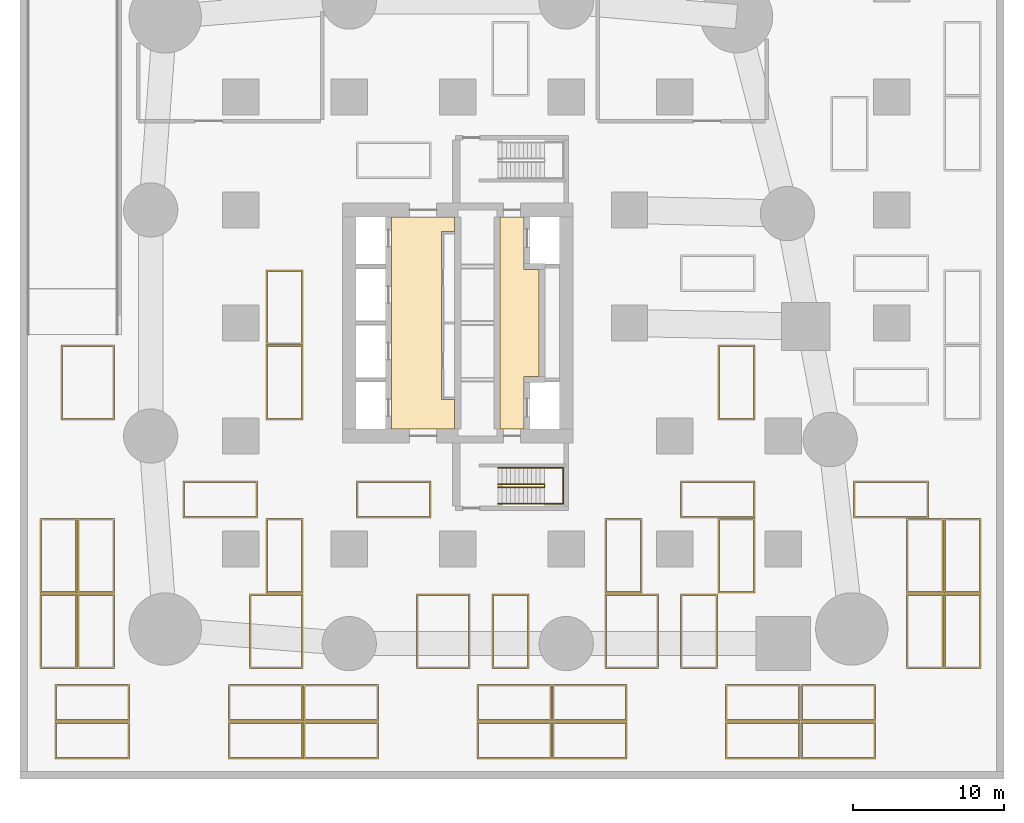
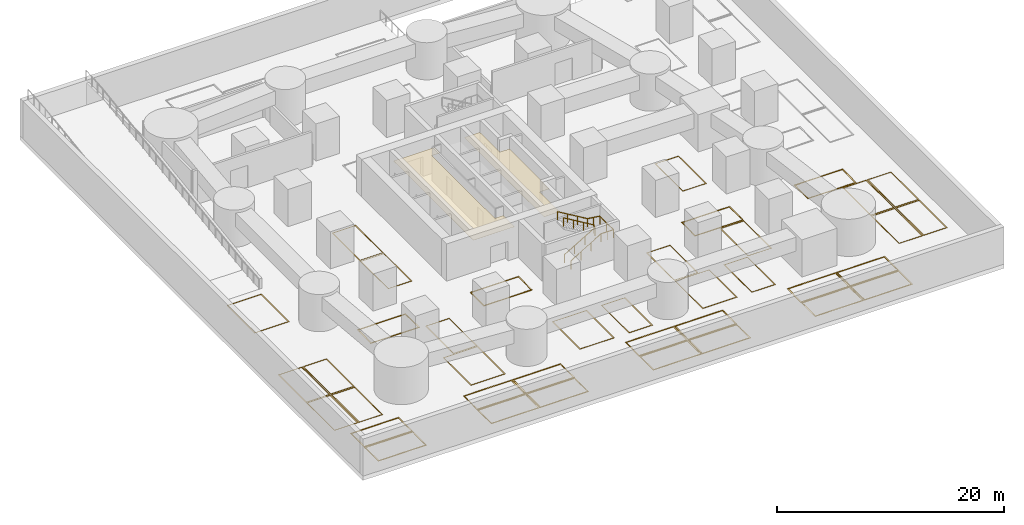
# One storey, part 7 of 8: 40 coverings, 2 railings.
"""IFC4 building model written with IfcOpenShell, lengths in metres."""

from ifc_helpers import new_model, si_unit, direction, frame, origin, origin_2d, place, context, subcontext, project, spatial, polyline, circle, outline, extrude, material, layer, layer_set, type_object, element, save


model = new_model("IFC4")

# Units and contexts
model_context = context("Model", 3, precision=1e-05, world=origin(), true_north=direction((0.0, 1.0)))
body_context = subcontext(model_context, "Body", "Model", "MODEL_VIEW")
ifc_project = project(units=[si_unit("LENGTHUNIT", "METRE"), si_unit("AREAUNIT", "SQUARE_METRE"), si_unit("VOLUMEUNIT", "CUBIC_METRE"), si_unit("PLANEANGLEUNIT", "RADIAN"), si_unit("MASSUNIT", "GRAM", prefix="KILO")], contexts=[model_context])

# Site, building, storey
site_placement = place(None, origin())
site = spatial("IfcSite", under=ifc_project, at=site_placement, CompositionType="ELEMENT")
building_placement = place(site_placement, origin())
building = spatial("IfcBuilding", under=site, at=building_placement, Name="Sheger Commons Tower", CompositionType="ELEMENT")
storey_placement = place(building_placement, frame((0.0, 0.0, -4.0)))
storey = spatial("IfcBuildingStorey", under=building, at=storey_placement, Name="B1", CompositionType="ELEMENT", Elevation=-4.0)

# Coverings
ifc_material_1 = material(Name="Thermoplastic road marking, blue")
ifc_layer_1 = layer(ifc_material_1, 0.0048828125)
ifc_layer_set_1 = layer_set([ifc_layer_1], Name="ACCESSIBLE PARKING BAY MARKING")
covering_type_1 = type_object("IfcCoveringType", Name="ACCESSIBLE PARKING BAY MARKING", PredefinedType="FLOORING", material=ifc_layer_set_1)
covering_1_placement = place(storey_placement, origin())
element("IfcCovering", 1, at=covering_1_placement, inside=storey, type_object=covering_type_1, Name="Accessible parking bay B1-A01 marking", PredefinedType="FLOORING", context=body_context, shape_type="SweptSolid", body=[
    extrude(outline(polyline([(7.77490234375, -0.425048828125), (11.324951171875, -0.425048828125), (11.324951171875, 4.52490234375), (7.77490234375, 4.52490234375), (7.77490234375, -0.425048828125)]), holes=[polyline([(11.22509765625, 4.425048828125), (11.22509765625, -0.324951171875), (7.875, -0.324951171875), (7.875, 4.425048828125), (11.22509765625, 4.425048828125)])]), origin(), (0.0, 0.0, 1.0), 0.0048828125),
])
covering_2_placement = place(storey_placement, origin())
element("IfcCovering", 2, at=covering_2_placement, inside=storey, type_object=covering_type_1, Name="Accessible parking bay B1-A02 marking", PredefinedType="FLOORING", context=body_context, shape_type="SweptSolid", body=[
    extrude(outline(polyline([(18.875, -0.425048828125), (22.425048828125, -0.425048828125), (22.425048828125, 4.52490234375), (18.875, 4.52490234375), (18.875, -0.425048828125)]), holes=[polyline([(22.324951171875, 4.425048828125), (22.324951171875, -0.324951171875), (18.97509765625, -0.324951171875), (18.97509765625, 4.425048828125), (22.324951171875, 4.425048828125)])]), origin(), (0.0, 0.0, 1.0), 0.0048828125),
])
covering_3_placement = place(storey_placement, origin())
element("IfcCovering", 3, at=covering_3_placement, inside=storey, type_object=covering_type_1, Name="Accessible parking bay B1-A03 marking", PredefinedType="FLOORING", context=body_context, shape_type="SweptSolid", body=[
    extrude(outline(polyline([(31.375, -0.425048828125), (34.925048828125, -0.425048828125), (34.925048828125, 4.52490234375), (31.375, 4.52490234375), (31.375, -0.425048828125)]), holes=[polyline([(34.824951171875, 4.425048828125), (34.824951171875, -0.324951171875), (31.47509765625, -0.324951171875), (31.47509765625, 4.425048828125), (34.824951171875, 4.425048828125)])]), origin(), (0.0, 0.0, 1.0), 0.0048828125),
])
covering_4_placement = place(storey_placement, origin())
element("IfcCovering", 4, at=covering_4_placement, inside=storey, type_object=covering_type_1, Name="Accessible parking bay B1-A04 marking", PredefinedType="FLOORING", context=body_context, shape_type="SweptSolid", body=[
    extrude(outline(polyline([(-4.72509765625, 16.074951171875), (-1.175048828125, 16.074951171875), (-1.175048828125, 21.02490234375), (-4.72509765625, 21.02490234375), (-4.72509765625, 16.074951171875)]), holes=[polyline([(-1.27490234375, 20.925048828125), (-1.27490234375, 16.175048828125), (-4.625, 16.175048828125), (-4.625, 20.925048828125), (-1.27490234375, 20.925048828125)])]), origin(), (0.0, 0.0, 1.0), 0.0048828125),
])

# Railings
ifc_material_2 = material(Name="Steel handrail, black powder-coated", Category="steel")
railing_type = type_object("IfcRailingType", Name="HANDRAIL 900", PredefinedType="HANDRAIL", material=ifc_material_2)
railing_1_placement = place(storey_placement, frame((24.27001953125, 11.60009765625, 0.166748046875)))
element("IfcRailing", 5, at=railing_1_placement, inside=storey, type_object=railing_type, Name="Stair S1 handrail B1", PredefinedType="HANDRAIL", context=body_context, shape_type="SweptSolid", body=[
    extrude(circle(Radius=0.02392578125, at=origin_2d()), frame((0.0, 0.0, 0.8759765625), z_axis=(0.859308565015, 0.0, 0.511457515432), x_axis=(0.0, 1.0, 0.0)), (0.0, 0.0, 1.0), 3.58447265625),
    extrude(circle(Radius=0.02392578125, at=origin_2d()), frame((3.080078125, 0.0, 2.708984375), z_axis=(0.0, 0.767990643491, 0.640461061666), x_axis=(-1.0, 0.0, 0.0)), (0.0, 0.0, 1.0), 0.26025390625),
    extrude(circle(Radius=0.02392578125, at=origin_2d()), frame((3.080078125, 0.199951171875, 2.8759765625), z_axis=(-0.859308565015, 0.0, 0.511457515432), x_axis=(0.0, -1.0, 0.0)), (0.0, 0.0, 1.0), 3.58447265625),
    extrude(circle(Radius=0.02099609375, at=origin_2d()), origin(), (0.0, 0.0, 1.0), 0.851806640625),
    extrude(circle(Radius=0.02099609375, at=origin_2d()), frame((1.026611328125, 0.0, 0.611083984375)), (0.0, 0.0, 1.0), 0.851806640625),
    extrude(circle(Radius=0.02099609375, at=origin_2d()), frame((2.053466796875, 0.0, 1.22216796875)), (0.0, 0.0, 1.0), 0.851806640625),
    extrude(circle(Radius=0.02099609375, at=origin_2d()), frame((3.080078125, 0.0, 1.833251953125)), (0.0, 0.0, 1.0), 0.851806640625),
    extrude(circle(Radius=0.02099609375, at=origin_2d()), frame((3.080078125, 0.199951171875, 2.0)), (0.0, 0.0, 1.0), 0.851806640625),
    extrude(circle(Radius=0.02099609375, at=origin_2d()), frame((2.053466796875, 0.199951171875, 2.611083984375)), (0.0, 0.0, 1.0), 0.851806640625),
    extrude(circle(Radius=0.02099609375, at=origin_2d()), frame((1.026611328125, 0.199951171875, 3.22216796875)), (0.0, 0.0, 1.0), 0.851806640625),
    extrude(circle(Radius=0.02099609375, at=origin_2d()), frame((0.0, 0.199951171875, 3.833251953125)), (0.0, 0.0, 1.0), 0.851806640625),
])
railing_2_placement = place(storey_placement, frame((24.27001953125, 10.5, 0.166748046875)))
element("IfcRailing", 6, at=railing_2_placement, inside=storey, type_object=railing_type, Name="Stair S1 handrail B1", PredefinedType="HANDRAIL", context=body_context, shape_type="SweptSolid", body=[
    extrude(circle(Radius=0.02392578125, at=origin_2d()), frame((0.0, 0.0, 0.8759765625), z_axis=(0.859308565015, 0.0, 0.511457515432), x_axis=(0.0, 1.0, 0.0)), (0.0, 0.0, 1.0), 3.58447265625),
    extrude(circle(Radius=0.02392578125, at=origin_2d()), frame((3.080078125, 0.0, 2.708984375), z_axis=(1.0, 0.0, 0.0), x_axis=(0.0, 1.0, 0.0)), (0.0, 0.0, 1.0), 1.25),
    extrude(circle(Radius=0.02392578125, at=origin_2d()), frame((4.330078125, 0.0, 2.708984375), z_axis=(0.0, 1.0, 0.0), x_axis=(-1.0, 0.0, 0.0)), (0.0, 0.0, 1.0), 2.39990234375),
    extrude(circle(Radius=0.02392578125, at=origin_2d()), frame((4.330078125, 2.39990234375, 2.708984375), z_axis=(-0.991219444613, 0.0, 0.132227125131), x_axis=(0.0, -1.0, 0.0)), (0.0, 0.0, 1.0), 1.260986328125),
    extrude(circle(Radius=0.02392578125, at=origin_2d()), frame((3.080078125, 2.39990234375, 2.8759765625), z_axis=(-0.859308565015, 0.0, 0.511457515432), x_axis=(0.0, -1.0, 0.0)), (0.0, 0.0, 1.0), 3.58447265625),
    extrude(circle(Radius=0.02099609375, at=origin_2d()), origin(), (0.0, 0.0, 1.0), 0.851806640625),
    extrude(circle(Radius=0.02099609375, at=origin_2d()), frame((1.026611328125, 0.0, 0.611083984375)), (0.0, 0.0, 1.0), 0.851806640625),
    extrude(circle(Radius=0.02099609375, at=origin_2d()), frame((2.053466796875, 0.0, 1.22216796875)), (0.0, 0.0, 1.0), 0.851806640625),
    extrude(circle(Radius=0.02099609375, at=origin_2d()), frame((3.080078125, 0.0, 1.833251953125)), (0.0, 0.0, 1.0), 0.851806640625),
    extrude(circle(Radius=0.02099609375, at=origin_2d()), frame((3.705078125, 0.0, 1.833251953125)), (0.0, 0.0, 1.0), 0.851806640625),
    extrude(circle(Radius=0.02099609375, at=origin_2d()), frame((4.330078125, 0.0, 1.833251953125)), (0.0, 0.0, 1.0), 0.851806640625),
    extrude(circle(Radius=0.02099609375, at=origin_2d()), frame((4.330078125, 1.199951171875, 1.833251953125)), (0.0, 0.0, 1.0), 0.851806640625),
    extrude(circle(Radius=0.02099609375, at=origin_2d()), frame((4.330078125, 2.39990234375, 1.833251953125)), (0.0, 0.0, 1.0), 0.851806640625),
    extrude(circle(Radius=0.02099609375, at=origin_2d()), frame((3.705078125, 2.39990234375, 1.91650390625)), (0.0, 0.0, 1.0), 0.851806640625),
    extrude(circle(Radius=0.02099609375, at=origin_2d()), frame((3.080078125, 2.39990234375, 2.0)), (0.0, 0.0, 1.0), 0.851806640625),
    extrude(circle(Radius=0.02099609375, at=origin_2d()), frame((2.053466796875, 2.39990234375, 2.611083984375)), (0.0, 0.0, 1.0), 0.851806640625),
    extrude(circle(Radius=0.02099609375, at=origin_2d()), frame((1.026611328125, 2.39990234375, 3.22216796875)), (0.0, 0.0, 1.0), 0.851806640625),
    extrude(circle(Radius=0.02099609375, at=origin_2d()), frame((0.0, 2.39990234375, 3.833251953125)), (0.0, 0.0, 1.0), 0.851806640625),
])

# Coverings
ifc_material_3 = material(Name="Thermoplastic road marking, white")
ifc_layer_2 = layer(ifc_material_3, 0.0048828125)
ifc_layer_set_2 = layer_set([ifc_layer_2], Name="PARKING BAY MARKING")
covering_type_2 = type_object("IfcCoveringType", Name="PARKING BAY MARKING", PredefinedType="FLOORING", material=ifc_layer_set_2)
covering_5_placement = place(storey_placement, origin())
element("IfcCovering", 7, at=covering_5_placement, inside=storey, type_object=covering_type_2, Name="Parking bay B1-001 marking", PredefinedType="FLOORING", context=body_context, shape_type="SweptSolid", body=[
    extrude(outline(polyline([(-5.125, -6.425048828125), (-0.175048828125, -6.425048828125), (-0.175048828125, -3.97509765625), (-5.125, -3.97509765625), (-5.125, -6.425048828125)]), holes=[polyline([(-0.27490234375, -4.074951171875), (-0.27490234375, -6.324951171875), (-5.02490234375, -6.324951171875), (-5.02490234375, -4.074951171875), (-0.27490234375, -4.074951171875)])]), origin(), (0.0, 0.0, 1.0), 0.0048828125),
])
covering_6_placement = place(storey_placement, origin())
element("IfcCovering", 8, at=covering_6_placement, inside=storey, type_object=covering_type_2, Name="Parking bay B1-002 marking", PredefinedType="FLOORING", context=body_context, shape_type="SweptSolid", body=[
    extrude(outline(polyline([(6.375, -6.425048828125), (11.324951171875, -6.425048828125), (11.324951171875, -3.97509765625), (6.375, -3.97509765625), (6.375, -6.425048828125)]), holes=[polyline([(11.22509765625, -4.074951171875), (11.22509765625, -6.324951171875), (6.47509765625, -6.324951171875), (6.47509765625, -4.074951171875), (11.22509765625, -4.074951171875)])]), origin(), (0.0, 0.0, 1.0), 0.0048828125),
])
covering_7_placement = place(storey_placement, origin())
element("IfcCovering", 9, at=covering_7_placement, inside=storey, type_object=covering_type_2, Name="Parking bay B1-003 marking", PredefinedType="FLOORING", context=body_context, shape_type="SweptSolid", body=[
    extrude(outline(polyline([(11.375, -6.425048828125), (16.324951171875, -6.425048828125), (16.324951171875, -3.97509765625), (11.375, -3.97509765625), (11.375, -6.425048828125)]), holes=[polyline([(16.22509765625, -4.074951171875), (16.22509765625, -6.324951171875), (11.47509765625, -6.324951171875), (11.47509765625, -4.074951171875), (16.22509765625, -4.074951171875)])]), origin(), (0.0, 0.0, 1.0), 0.0048828125),
])
covering_8_placement = place(storey_placement, origin())
element("IfcCovering", 10, at=covering_8_placement, inside=storey, type_object=covering_type_2, Name="Parking bay B1-004 marking", PredefinedType="FLOORING", context=body_context, shape_type="SweptSolid", body=[
    extrude(outline(polyline([(22.875, -6.425048828125), (27.824951171875, -6.425048828125), (27.824951171875, -3.97509765625), (22.875, -3.97509765625), (22.875, -6.425048828125)]), holes=[polyline([(27.72509765625, -4.074951171875), (27.72509765625, -6.324951171875), (22.97509765625, -6.324951171875), (22.97509765625, -4.074951171875), (27.72509765625, -4.074951171875)])]), origin(), (0.0, 0.0, 1.0), 0.0048828125),
])
covering_9_placement = place(storey_placement, origin())
element("IfcCovering", 11, at=covering_9_placement, inside=storey, type_object=covering_type_2, Name="Parking bay B1-005 marking", PredefinedType="FLOORING", context=body_context, shape_type="SweptSolid", body=[
    extrude(outline(polyline([(27.875, -6.425048828125), (32.824951171875, -6.425048828125), (32.824951171875, -3.97509765625), (27.875, -3.97509765625), (27.875, -6.425048828125)]), holes=[polyline([(32.72509765625, -4.074951171875), (32.72509765625, -6.324951171875), (27.97509765625, -6.324951171875), (27.97509765625, -4.074951171875), (32.72509765625, -4.074951171875)])]), origin(), (0.0, 0.0, 1.0), 0.0048828125),
])
covering_10_placement = place(storey_placement, origin())
element("IfcCovering", 12, at=covering_10_placement, inside=storey, type_object=covering_type_2, Name="Parking bay B1-006 marking", PredefinedType="FLOORING", context=body_context, shape_type="SweptSolid", body=[
    extrude(outline(polyline([(39.375, -6.425048828125), (44.324951171875, -6.425048828125), (44.324951171875, -3.97509765625), (39.375, -3.97509765625), (39.375, -6.425048828125)]), holes=[polyline([(44.22509765625, -4.074951171875), (44.22509765625, -6.324951171875), (39.47509765625, -6.324951171875), (39.47509765625, -4.074951171875), (44.22509765625, -4.074951171875)])]), origin(), (0.0, 0.0, 1.0), 0.0048828125),
])
covering_11_placement = place(storey_placement, origin())
element("IfcCovering", 13, at=covering_11_placement, inside=storey, type_object=covering_type_2, Name="Parking bay B1-007 marking", PredefinedType="FLOORING", context=body_context, shape_type="SweptSolid", body=[
    extrude(outline(polyline([(44.375, -6.425048828125), (49.324951171875, -6.425048828125), (49.324951171875, -3.97509765625), (44.375, -3.97509765625), (44.375, -6.425048828125)]), holes=[polyline([(49.22509765625, -4.074951171875), (49.22509765625, -6.324951171875), (44.47509765625, -6.324951171875), (44.47509765625, -4.074951171875), (49.22509765625, -4.074951171875)])]), origin(), (0.0, 0.0, 1.0), 0.0048828125),
])
covering_12_placement = place(storey_placement, origin())
element("IfcCovering", 14, at=covering_12_placement, inside=storey, type_object=covering_type_2, Name="Parking bay B1-008 marking", PredefinedType="FLOORING", context=body_context, shape_type="SweptSolid", body=[
    extrude(outline(polyline([(-5.125, -3.925048828125), (-0.175048828125, -3.925048828125), (-0.175048828125, -1.47509765625), (-5.125, -1.47509765625), (-5.125, -3.925048828125)]), holes=[polyline([(-0.27490234375, -1.574951171875), (-0.27490234375, -3.824951171875), (-5.02490234375, -3.824951171875), (-5.02490234375, -1.574951171875), (-0.27490234375, -1.574951171875)])]), origin(), (0.0, 0.0, 1.0), 0.0048828125),
])
covering_13_placement = place(storey_placement, origin())
element("IfcCovering", 15, at=covering_13_placement, inside=storey, type_object=covering_type_2, Name="Parking bay B1-009 marking", PredefinedType="FLOORING", context=body_context, shape_type="SweptSolid", body=[
    extrude(outline(polyline([(6.375, -3.925048828125), (11.324951171875, -3.925048828125), (11.324951171875, -1.47509765625), (6.375, -1.47509765625), (6.375, -3.925048828125)]), holes=[polyline([(11.22509765625, -1.574951171875), (11.22509765625, -3.824951171875), (6.47509765625, -3.824951171875), (6.47509765625, -1.574951171875), (11.22509765625, -1.574951171875)])]), origin(), (0.0, 0.0, 1.0), 0.0048828125),
])
covering_14_placement = place(storey_placement, origin())
element("IfcCovering", 16, at=covering_14_placement, inside=storey, type_object=covering_type_2, Name="Parking bay B1-010 marking", PredefinedType="FLOORING", context=body_context, shape_type="SweptSolid", body=[
    extrude(outline(polyline([(11.375, -3.925048828125), (16.324951171875, -3.925048828125), (16.324951171875, -1.47509765625), (11.375, -1.47509765625), (11.375, -3.925048828125)]), holes=[polyline([(16.22509765625, -1.574951171875), (16.22509765625, -3.824951171875), (11.47509765625, -3.824951171875), (11.47509765625, -1.574951171875), (16.22509765625, -1.574951171875)])]), origin(), (0.0, 0.0, 1.0), 0.0048828125),
])
covering_15_placement = place(storey_placement, origin())
element("IfcCovering", 17, at=covering_15_placement, inside=storey, type_object=covering_type_2, Name="Parking bay B1-011 marking", PredefinedType="FLOORING", context=body_context, shape_type="SweptSolid", body=[
    extrude(outline(polyline([(22.875, -3.925048828125), (27.824951171875, -3.925048828125), (27.824951171875, -1.47509765625), (22.875, -1.47509765625), (22.875, -3.925048828125)]), holes=[polyline([(27.72509765625, -1.574951171875), (27.72509765625, -3.824951171875), (22.97509765625, -3.824951171875), (22.97509765625, -1.574951171875), (27.72509765625, -1.574951171875)])]), origin(), (0.0, 0.0, 1.0), 0.0048828125),
])
covering_16_placement = place(storey_placement, origin())
element("IfcCovering", 18, at=covering_16_placement, inside=storey, type_object=covering_type_2, Name="Parking bay B1-012 marking", PredefinedType="FLOORING", context=body_context, shape_type="SweptSolid", body=[
    extrude(outline(polyline([(27.875, -3.925048828125), (32.824951171875, -3.925048828125), (32.824951171875, -1.47509765625), (27.875, -1.47509765625), (27.875, -3.925048828125)]), holes=[polyline([(32.72509765625, -1.574951171875), (32.72509765625, -3.824951171875), (27.97509765625, -3.824951171875), (27.97509765625, -1.574951171875), (32.72509765625, -1.574951171875)])]), origin(), (0.0, 0.0, 1.0), 0.0048828125),
])
covering_17_placement = place(storey_placement, origin())
element("IfcCovering", 19, at=covering_17_placement, inside=storey, type_object=covering_type_2, Name="Parking bay B1-013 marking", PredefinedType="FLOORING", context=body_context, shape_type="SweptSolid", body=[
    extrude(outline(polyline([(39.375, -3.925048828125), (44.324951171875, -3.925048828125), (44.324951171875, -1.47509765625), (39.375, -1.47509765625), (39.375, -3.925048828125)]), holes=[polyline([(44.22509765625, -1.574951171875), (44.22509765625, -3.824951171875), (39.47509765625, -3.824951171875), (39.47509765625, -1.574951171875), (44.22509765625, -1.574951171875)])]), origin(), (0.0, 0.0, 1.0), 0.0048828125),
])
covering_18_placement = place(storey_placement, origin())
element("IfcCovering", 20, at=covering_18_placement, inside=storey, type_object=covering_type_2, Name="Parking bay B1-014 marking", PredefinedType="FLOORING", context=body_context, shape_type="SweptSolid", body=[
    extrude(outline(polyline([(44.375, -3.925048828125), (49.324951171875, -3.925048828125), (49.324951171875, -1.47509765625), (44.375, -1.47509765625), (44.375, -3.925048828125)]), holes=[polyline([(49.22509765625, -1.574951171875), (49.22509765625, -3.824951171875), (44.47509765625, -3.824951171875), (44.47509765625, -1.574951171875), (49.22509765625, -1.574951171875)])]), origin(), (0.0, 0.0, 1.0), 0.0048828125),
])
covering_19_placement = place(storey_placement, origin())
element("IfcCovering", 21, at=covering_19_placement, inside=storey, type_object=covering_type_2, Name="Parking bay B1-015 marking", PredefinedType="FLOORING", context=body_context, shape_type="SweptSolid", body=[
    extrude(outline(polyline([(-6.125, -0.425048828125), (-3.675048828125, -0.425048828125), (-3.675048828125, 4.52490234375), (-6.125, 4.52490234375), (-6.125, -0.425048828125)]), holes=[polyline([(-3.77490234375, 4.425048828125), (-3.77490234375, -0.324951171875), (-6.02490234375, -0.324951171875), (-6.02490234375, 4.425048828125), (-3.77490234375, 4.425048828125)])]), origin(), (0.0, 0.0, 1.0), 0.0048828125),
])
covering_20_placement = place(storey_placement, origin())
element("IfcCovering", 22, at=covering_20_placement, inside=storey, type_object=covering_type_2, Name="Parking bay B1-016 marking", PredefinedType="FLOORING", context=body_context, shape_type="SweptSolid", body=[
    extrude(outline(polyline([(-3.625, -0.425048828125), (-1.175048828125, -0.425048828125), (-1.175048828125, 4.52490234375), (-3.625, 4.52490234375), (-3.625, -0.425048828125)]), holes=[polyline([(-1.27490234375, 4.425048828125), (-1.27490234375, -0.324951171875), (-3.52490234375, -0.324951171875), (-3.52490234375, 4.425048828125), (-1.27490234375, 4.425048828125)])]), origin(), (0.0, 0.0, 1.0), 0.0048828125),
])
covering_21_placement = place(storey_placement, origin())
element("IfcCovering", 23, at=covering_21_placement, inside=storey, type_object=covering_type_2, Name="Parking bay B1-017 marking", PredefinedType="FLOORING", context=body_context, shape_type="SweptSolid", body=[
    extrude(outline(polyline([(23.875, -0.425048828125), (26.324951171875, -0.425048828125), (26.324951171875, 4.52490234375), (23.875, 4.52490234375), (23.875, -0.425048828125)]), holes=[polyline([(26.22509765625, 4.425048828125), (26.22509765625, -0.324951171875), (23.97509765625, -0.324951171875), (23.97509765625, 4.425048828125), (26.22509765625, 4.425048828125)])]), origin(), (0.0, 0.0, 1.0), 0.0048828125),
])
covering_22_placement = place(storey_placement, origin())
element("IfcCovering", 24, at=covering_22_placement, inside=storey, type_object=covering_type_2, Name="Parking bay B1-018 marking", PredefinedType="FLOORING", context=body_context, shape_type="SweptSolid", body=[
    extrude(outline(polyline([(36.375, -0.425048828125), (38.824951171875, -0.425048828125), (38.824951171875, 4.52490234375), (36.375, 4.52490234375), (36.375, -0.425048828125)]), holes=[polyline([(38.72509765625, 4.425048828125), (38.72509765625, -0.324951171875), (36.47509765625, -0.324951171875), (36.47509765625, 4.425048828125), (38.72509765625, 4.425048828125)])]), origin(), (0.0, 0.0, 1.0), 0.0048828125),
])
covering_23_placement = place(storey_placement, origin())
element("IfcCovering", 25, at=covering_23_placement, inside=storey, type_object=covering_type_2, Name="Parking bay B1-019 marking", PredefinedType="FLOORING", context=body_context, shape_type="SweptSolid", body=[
    extrude(outline(polyline([(51.375, -0.425048828125), (53.824951171875, -0.425048828125), (53.824951171875, 4.52490234375), (51.375, 4.52490234375), (51.375, -0.425048828125)]), holes=[polyline([(53.72509765625, 4.425048828125), (53.72509765625, -0.324951171875), (51.47509765625, -0.324951171875), (51.47509765625, 4.425048828125), (53.72509765625, 4.425048828125)])]), origin(), (0.0, 0.0, 1.0), 0.0048828125),
])
covering_24_placement = place(storey_placement, origin())
element("IfcCovering", 26, at=covering_24_placement, inside=storey, type_object=covering_type_2, Name="Parking bay B1-020 marking", PredefinedType="FLOORING", context=body_context, shape_type="SweptSolid", body=[
    extrude(outline(polyline([(53.875, -0.425048828125), (56.324951171875, -0.425048828125), (56.324951171875, 4.52490234375), (53.875, 4.52490234375), (53.875, -0.425048828125)]), holes=[polyline([(56.22509765625, 4.425048828125), (56.22509765625, -0.324951171875), (53.97509765625, -0.324951171875), (53.97509765625, 4.425048828125), (56.22509765625, 4.425048828125)])]), origin(), (0.0, 0.0, 1.0), 0.0048828125),
])
covering_25_placement = place(storey_placement, origin())
element("IfcCovering", 27, at=covering_25_placement, inside=storey, type_object=covering_type_2, Name="Parking bay B1-021 marking", PredefinedType="FLOORING", context=body_context, shape_type="SweptSolid", body=[
    extrude(outline(polyline([(-6.125, 4.574951171875), (-3.675048828125, 4.574951171875), (-3.675048828125, 9.52490234375), (-6.125, 9.52490234375), (-6.125, 4.574951171875)]), holes=[polyline([(-3.77490234375, 9.425048828125), (-3.77490234375, 4.675048828125), (-6.02490234375, 4.675048828125), (-6.02490234375, 9.425048828125), (-3.77490234375, 9.425048828125)])]), origin(), (0.0, 0.0, 1.0), 0.0048828125),
])
covering_26_placement = place(storey_placement, origin())
element("IfcCovering", 28, at=covering_26_placement, inside=storey, type_object=covering_type_2, Name="Parking bay B1-022 marking", PredefinedType="FLOORING", context=body_context, shape_type="SweptSolid", body=[
    extrude(outline(polyline([(-3.625, 4.574951171875), (-1.175048828125, 4.574951171875), (-1.175048828125, 9.52490234375), (-3.625, 9.52490234375), (-3.625, 4.574951171875)]), holes=[polyline([(-1.27490234375, 9.425048828125), (-1.27490234375, 4.675048828125), (-3.52490234375, 4.675048828125), (-3.52490234375, 9.425048828125), (-1.27490234375, 9.425048828125)])]), origin(), (0.0, 0.0, 1.0), 0.0048828125),
])
covering_27_placement = place(storey_placement, origin())
element("IfcCovering", 29, at=covering_27_placement, inside=storey, type_object=covering_type_2, Name="Parking bay B1-023 marking", PredefinedType="FLOORING", context=body_context, shape_type="SweptSolid", body=[
    extrude(outline(polyline([(8.875, 4.574951171875), (11.324951171875, 4.574951171875), (11.324951171875, 9.52490234375), (8.875, 9.52490234375), (8.875, 4.574951171875)]), holes=[polyline([(11.22509765625, 9.425048828125), (11.22509765625, 4.675048828125), (8.97509765625, 4.675048828125), (8.97509765625, 9.425048828125), (11.22509765625, 9.425048828125)])]), origin(), (0.0, 0.0, 1.0), 0.0048828125),
])
covering_28_placement = place(storey_placement, origin())
element("IfcCovering", 30, at=covering_28_placement, inside=storey, type_object=covering_type_2, Name="Parking bay B1-024 marking", PredefinedType="FLOORING", context=body_context, shape_type="SweptSolid", body=[
    extrude(outline(polyline([(31.375, 4.574951171875), (33.824951171875, 4.574951171875), (33.824951171875, 9.52490234375), (31.375, 9.52490234375), (31.375, 4.574951171875)]), holes=[polyline([(33.72509765625, 9.425048828125), (33.72509765625, 4.675048828125), (31.47509765625, 4.675048828125), (31.47509765625, 9.425048828125), (33.72509765625, 9.425048828125)])]), origin(), (0.0, 0.0, 1.0), 0.0048828125),
])
covering_29_placement = place(storey_placement, origin())
element("IfcCovering", 31, at=covering_29_placement, inside=storey, type_object=covering_type_2, Name="Parking bay B1-025 marking", PredefinedType="FLOORING", context=body_context, shape_type="SweptSolid", body=[
    extrude(outline(polyline([(38.875, 4.574951171875), (41.324951171875, 4.574951171875), (41.324951171875, 9.52490234375), (38.875, 9.52490234375), (38.875, 4.574951171875)]), holes=[polyline([(41.22509765625, 9.425048828125), (41.22509765625, 4.675048828125), (38.97509765625, 4.675048828125), (38.97509765625, 9.425048828125), (41.22509765625, 9.425048828125)])]), origin(), (0.0, 0.0, 1.0), 0.0048828125),
])
covering_30_placement = place(storey_placement, origin())
element("IfcCovering", 32, at=covering_30_placement, inside=storey, type_object=covering_type_2, Name="Parking bay B1-026 marking", PredefinedType="FLOORING", context=body_context, shape_type="SweptSolid", body=[
    extrude(outline(polyline([(51.375, 4.574951171875), (53.824951171875, 4.574951171875), (53.824951171875, 9.52490234375), (51.375, 9.52490234375), (51.375, 4.574951171875)]), holes=[polyline([(53.72509765625, 9.425048828125), (53.72509765625, 4.675048828125), (51.47509765625, 4.675048828125), (51.47509765625, 9.425048828125), (53.72509765625, 9.425048828125)])]), origin(), (0.0, 0.0, 1.0), 0.0048828125),
])
covering_31_placement = place(storey_placement, origin())
element("IfcCovering", 33, at=covering_31_placement, inside=storey, type_object=covering_type_2, Name="Parking bay B1-027 marking", PredefinedType="FLOORING", context=body_context, shape_type="SweptSolid", body=[
    extrude(outline(polyline([(53.875, 4.574951171875), (56.324951171875, 4.574951171875), (56.324951171875, 9.52490234375), (53.875, 9.52490234375), (53.875, 4.574951171875)]), holes=[polyline([(56.22509765625, 9.425048828125), (56.22509765625, 4.675048828125), (53.97509765625, 4.675048828125), (53.97509765625, 9.425048828125), (56.22509765625, 9.425048828125)])]), origin(), (0.0, 0.0, 1.0), 0.0048828125),
])
covering_32_placement = place(storey_placement, origin())
element("IfcCovering", 34, at=covering_32_placement, inside=storey, type_object=covering_type_2, Name="Parking bay B1-028 marking", PredefinedType="FLOORING", context=body_context, shape_type="SweptSolid", body=[
    extrude(outline(polyline([(3.375, 9.574951171875), (8.324951171875, 9.574951171875), (8.324951171875, 12.02490234375), (3.375, 12.02490234375), (3.375, 9.574951171875)]), holes=[polyline([(8.22509765625, 11.925048828125), (8.22509765625, 9.675048828125), (3.47509765625, 9.675048828125), (3.47509765625, 11.925048828125), (8.22509765625, 11.925048828125)])]), origin(), (0.0, 0.0, 1.0), 0.0048828125),
])
covering_33_placement = place(storey_placement, origin())
element("IfcCovering", 35, at=covering_33_placement, inside=storey, type_object=covering_type_2, Name="Parking bay B1-029 marking", PredefinedType="FLOORING", context=body_context, shape_type="SweptSolid", body=[
    extrude(outline(polyline([(14.875, 9.574951171875), (19.824951171875, 9.574951171875), (19.824951171875, 12.02490234375), (14.875, 12.02490234375), (14.875, 9.574951171875)]), holes=[polyline([(19.72509765625, 11.925048828125), (19.72509765625, 9.675048828125), (14.97509765625, 9.675048828125), (14.97509765625, 11.925048828125), (19.72509765625, 11.925048828125)])]), origin(), (0.0, 0.0, 1.0), 0.0048828125),
])
covering_34_placement = place(storey_placement, origin())
element("IfcCovering", 36, at=covering_34_placement, inside=storey, type_object=covering_type_2, Name="Parking bay B1-030 marking", PredefinedType="FLOORING", context=body_context, shape_type="SweptSolid", body=[
    extrude(outline(polyline([(36.375, 9.574951171875), (41.324951171875, 9.574951171875), (41.324951171875, 12.02490234375), (36.375, 12.02490234375), (36.375, 9.574951171875)]), holes=[polyline([(41.22509765625, 11.925048828125), (41.22509765625, 9.675048828125), (36.47509765625, 9.675048828125), (36.47509765625, 11.925048828125), (41.22509765625, 11.925048828125)])]), origin(), (0.0, 0.0, 1.0), 0.0048828125),
])
covering_35_placement = place(storey_placement, origin())
element("IfcCovering", 37, at=covering_35_placement, inside=storey, type_object=covering_type_2, Name="Parking bay B1-031 marking", PredefinedType="FLOORING", context=body_context, shape_type="SweptSolid", body=[
    extrude(outline(polyline([(47.875, 9.574951171875), (52.824951171875, 9.574951171875), (52.824951171875, 12.02490234375), (47.875, 12.02490234375), (47.875, 9.574951171875)]), holes=[polyline([(52.72509765625, 11.925048828125), (52.72509765625, 9.675048828125), (47.97509765625, 9.675048828125), (47.97509765625, 11.925048828125), (52.72509765625, 11.925048828125)])]), origin(), (0.0, 0.0, 1.0), 0.0048828125),
])
covering_36_placement = place(storey_placement, origin())
element("IfcCovering", 38, at=covering_36_placement, inside=storey, type_object=covering_type_2, Name="Parking bay B1-032 marking", PredefinedType="FLOORING", context=body_context, shape_type="SweptSolid", body=[
    extrude(outline(polyline([(8.875, 16.074951171875), (11.324951171875, 16.074951171875), (11.324951171875, 21.02490234375), (8.875, 21.02490234375), (8.875, 16.074951171875)]), holes=[polyline([(11.22509765625, 20.925048828125), (11.22509765625, 16.175048828125), (8.97509765625, 16.175048828125), (8.97509765625, 20.925048828125), (11.22509765625, 20.925048828125)])]), origin(), (0.0, 0.0, 1.0), 0.0048828125),
])
covering_37_placement = place(storey_placement, origin())
element("IfcCovering", 39, at=covering_37_placement, inside=storey, type_object=covering_type_2, Name="Parking bay B1-033 marking", PredefinedType="FLOORING", context=body_context, shape_type="SweptSolid", body=[
    extrude(outline(polyline([(38.875, 16.074951171875), (41.324951171875, 16.074951171875), (41.324951171875, 21.02490234375), (38.875, 21.02490234375), (38.875, 16.074951171875)]), holes=[polyline([(41.22509765625, 20.925048828125), (41.22509765625, 16.175048828125), (38.97509765625, 16.175048828125), (38.97509765625, 20.925048828125), (41.22509765625, 20.925048828125)])]), origin(), (0.0, 0.0, 1.0), 0.0048828125),
])
covering_38_placement = place(storey_placement, origin())
element("IfcCovering", 40, at=covering_38_placement, inside=storey, type_object=covering_type_2, Name="Parking bay B1-036 marking", PredefinedType="FLOORING", context=body_context, shape_type="SweptSolid", body=[
    extrude(outline(polyline([(8.875, 21.074951171875), (11.324951171875, 21.074951171875), (11.324951171875, 26.02490234375), (8.875, 26.02490234375), (8.875, 21.074951171875)]), holes=[polyline([(11.22509765625, 25.925048828125), (11.22509765625, 21.175048828125), (8.97509765625, 21.175048828125), (8.97509765625, 25.925048828125), (11.22509765625, 25.925048828125)])]), origin(), (0.0, 0.0, 1.0), 0.0048828125),
])
ifc_material_4 = material(Name="Gypsum plasterboard 15 mm on a suspended steel grid", Category="steel")
ifc_layer_3 = layer(ifc_material_4, 0.014892578125)
ifc_layer_set_3 = layer_set([ifc_layer_3], Name="SUSPENDED CEILING 15")
covering_type_3 = type_object("IfcCoveringType", Name="SUSPENDED CEILING 15", PredefinedType="CEILING", material=ifc_layer_set_3)
covering_39_placement = place(storey_placement, frame((0.0, 0.0, 2.699951171875)))
element("IfcCovering", 41, at=covering_39_placement, inside=storey, type_object=covering_type_3, Name="B1-LL ceiling", PredefinedType="CEILING", context=body_context, shape_type="SweptSolid", body=[
    extrude(outline(polyline([(17.205078125, 15.455078125), (21.39990234375, 15.455078125), (21.39990234375, 17.43310546875), (20.657958984375, 17.43310546875), (20.532958984375, 17.43310546875), (20.532958984375, 28.56689453125), (20.657958984375, 28.56689453125), (21.39990234375, 28.56689453125), (21.39990234375, 29.544921875), (17.205078125, 29.544921875), (17.205078125, 15.455078125)])), origin(), (0.0, 0.0, 1.0), 0.01513671875),
])
covering_40_placement = place(storey_placement, frame((0.0, 0.0, 2.699951171875)))
element("IfcCovering", 42, at=covering_40_placement, inside=storey, type_object=covering_type_3, Name="B1-FL ceiling", PredefinedType="CEILING", context=body_context, shape_type="SweptSolid", body=[
    extrude(outline(polyline([(24.405029296875, 15.455078125), (25.9951171875, 15.455078125), (25.9951171875, 18.955078125), (26.9951171875, 18.955078125), (26.9951171875, 26.044921875), (25.9951171875, 26.044921875), (25.9951171875, 29.544921875), (24.405029296875, 29.544921875), (24.405029296875, 15.455078125)])), origin(), (0.0, 0.0, 1.0), 0.01513671875),
])

save(model, "model.ifc")
